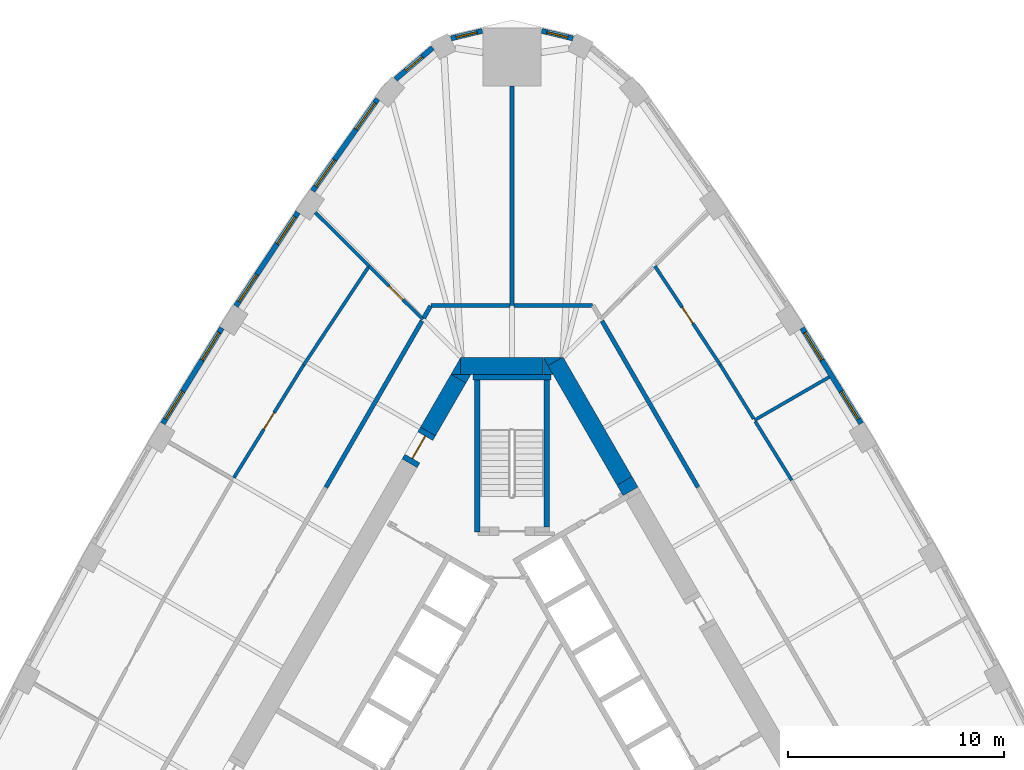
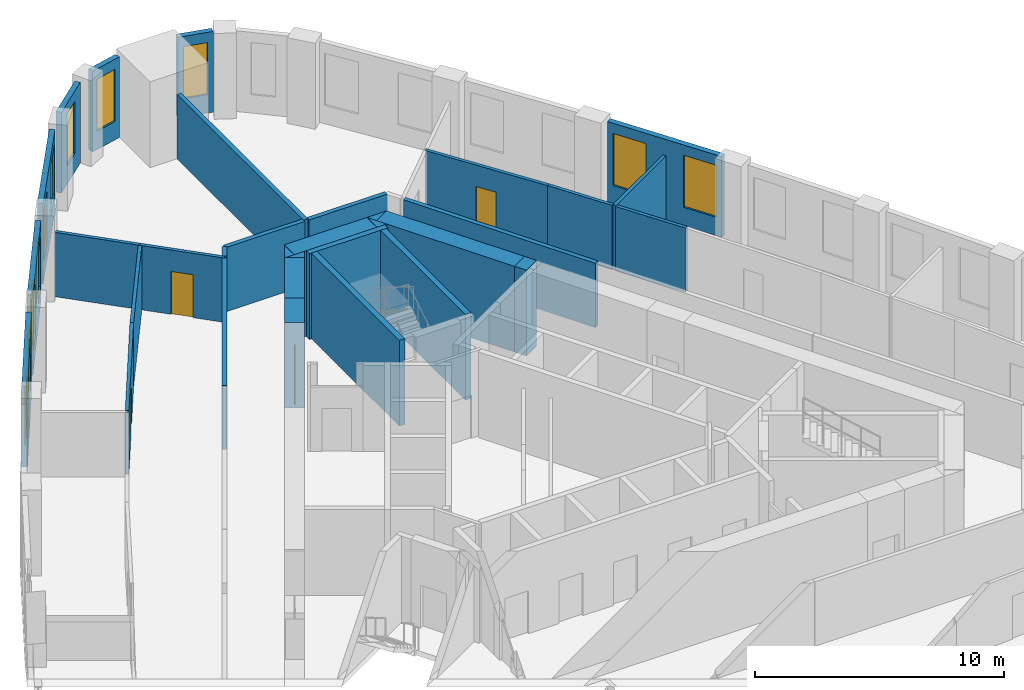
# One storey, part 8 of 10: 33 walls, 11 windows, 4 doors, 15 openings.
"""IFC4 building model written with IfcOpenShell, lengths in metres."""

from ifc_helpers import new_model, si_unit, direction, frame, frame_2d, origin, place, context, subcontext, project, spatial, polyline, rectangle, outline, extrude, material, layer, layer_set, type_object, element, fill, save


model = new_model("IFC4")

# Units and contexts
model_context = context("Model", 3, precision=1e-05, world=origin(), true_north=direction((0.0, 1.0)))
body_context = subcontext(model_context, "Body", "Model", "MODEL_VIEW")
ifc_project = project(units=[si_unit("LENGTHUNIT", "METRE"), si_unit("AREAUNIT", "SQUARE_METRE"), si_unit("VOLUMEUNIT", "CUBIC_METRE"), si_unit("PLANEANGLEUNIT", "RADIAN"), si_unit("MASSUNIT", "GRAM", prefix="KILO")], contexts=[model_context])

# Site, building, storey
site_placement = place(None, origin())
site = spatial("IfcSite", under=ifc_project, at=site_placement, CompositionType="ELEMENT")
building_placement = place(site_placement, origin())
building = spatial("IfcBuilding", under=site, at=building_placement, Name="Mestral Congress Tower", CompositionType="ELEMENT")
storey_placement = place(building_placement, frame((0.0, 0.0, 145.800048828125)))
storey = spatial("IfcBuildingStorey", under=building, at=storey_placement, Name="L34", CompositionType="ELEMENT", Elevation=145.800048828125)

# Walls
ifc_material_1 = material(Name="Concrete C60/75", Category="concrete")
ifc_layer_1 = layer(ifc_material_1, 0.800048828125)
ifc_layer_set_1 = layer_set([ifc_layer_1], Name="Concrete C60/75")
wall_type_1 = type_object("IfcWallType", Name="Core wall RC 800", PredefinedType="SOLIDWALL", material=ifc_layer_set_1)
wall_1_placement = place(storey_placement, frame((5.488525390625, 10.593505859375, 0.0), z_axis=(0.0, 0.0, 1.0), x_axis=(-0.500000383388, 0.866025182435, 0.0)))
element("IfcWall", 1, at=wall_1_placement, inside=storey, type_object=wall_type_1, Name="L34 core wall", PredefinedType="SOLIDWALL", context=body_context, shape_type="SweptSolid", body=[
    extrude(rectangle(XDim=0.5576171875, YDim=0.800048828125, at=frame_2d((0.27880859375, 0.0))), origin(), (0.0, 0.0, 1.0), 4.199951171875),
])
wall_2_placement = place(storey_placement, frame((5.208984375, 11.078125, 0.0), z_axis=(0.0, 0.0, 1.0), x_axis=(-0.500035624827, 0.866004834804, 0.0)))
element("IfcWall", 2, at=wall_2_placement, inside=storey, type_object=wall_type_1, Name="L34 core wall", PredefinedType="SOLIDWALL", context=body_context, shape_type="SweptSolid", body=[
    extrude(rectangle(XDim=6.38818359375, YDim=0.800048828125, at=frame_2d((3.194091796875, 0.0))), origin(), (0.0, 0.0, 1.0), 4.199951171875),
])
placement = place(storey_placement, origin())
element("IfcWall", 3, at=placement, inside=storey, type_object=wall_type_1, Name="L34 core wall", PredefinedType="SOLIDWALL", context=body_context, shape_type="SweptSolid", body=[
    extrude(outline(polyline([(1.443359375, 16.800048828125), (2.33935546875, 16.800048828125), (1.667236328125, 16.412109375), (1.443359375, 16.800048828125)])), origin(), (0.0, 0.0, 1.0), 4.199951171875),
])
wall_4_placement = place(storey_placement, frame((-2.37890625, 16.39990234375, 0.0), z_axis=(0.0, 0.0, 1.0), x_axis=(1.0, 0.0, 0.0)))
element("IfcWall", 4, at=wall_4_placement, inside=storey, type_object=wall_type_1, Name="L34 core wall", PredefinedType="SOLIDWALL", context=body_context, shape_type="SweptSolid", body=[
    extrude(rectangle(XDim=3.82421875, YDim=0.800048828125, at=frame_2d((1.912109375, 0.0))), origin(), (0.0, 0.0, 1.0), 4.199951171875),
])
element("IfcWall", 5, at=placement, inside=storey, type_object=wall_type_1, Name="L34 core wall", PredefinedType="SOLIDWALL", context=body_context, shape_type="SweptSolid", body=[
    extrude(outline(polyline([(1.9052734375, 16.0), (1.447265625, 16.0), (1.447265625, 16.793212890625), (1.9052734375, 16.0)])), origin(), (0.0, 0.0, 1.0), 4.199951171875),
])
element("IfcWall", 6, at=placement, inside=storey, type_object=wall_type_1, Name="L34 core wall", PredefinedType="SOLIDWALL", context=body_context, shape_type="SweptSolid", body=[
    extrude(outline(polyline([(-2.8291015625, 16.0), (-2.381103515625, 16.77587890625), (-2.381103515625, 16.0), (-2.8291015625, 16.0)])), origin(), (0.0, 0.0, 1.0), 4.199951171875),
])
wall_7_placement = place(storey_placement, frame((-2.476806640625, 15.810302734375, 0.0), z_axis=(0.0, 0.0, 1.0), x_axis=(-0.499969377405, -0.866043083026, 0.0)))
element("IfcWall", 7, at=wall_7_placement, inside=storey, type_object=wall_type_1, Name="L34 core wall", PredefinedType="SOLIDWALL", context=body_context, shape_type="SweptSolid", body=[
    extrude(rectangle(XDim=2.824462890625, YDim=0.800048828125, at=frame_2d((1.412109375, 0.0))), origin(), (0.0, 0.0, 1.0), 4.199951171875),
])
element("IfcWall", 8, at=placement, inside=storey, type_object=wall_type_1, Name="L34 core wall", PredefinedType="SOLIDWALL", context=body_context, shape_type="SweptSolid", body=[
    extrude(outline(polyline([(-1.9052734375, 16.0), (-2.12939453125, 15.612060546875), (-2.80126953125, 16.0), (-1.9052734375, 16.0)])), origin(), (0.0, 0.0, 1.0), 4.199951171875),
])

# Wall, opening, door
wall_9_placement = place(storey_placement, frame((-4.739013671875, 11.89208984375, 0.0), z_axis=(0.0, 0.0, 1.0), x_axis=(0.500062241894, 0.865989465428, 0.0)))
wall_9 = element("IfcWall", 9, at=wall_9_placement, inside=storey, type_object=wall_type_1, Name="L34 door wall", PredefinedType="SOLIDWALL", context=body_context, shape_type="SweptSolid", body=[
    extrude(rectangle(XDim=1.699951171875, YDim=0.800048828125, at=frame_2d((0.85009765625, 0.0))), origin(), (0.0, 0.0, 1.0), 4.199951171875),
])
opening_1_placement = place(wall_9_placement, frame((0.25, 0.0, 0.0)))
opening_1 = element("IfcOpeningElement", 10, at=opening_1_placement, cuts=wall_9, Name="Opening XD2", PredefinedType="OPENING", context=body_context, shape_type="SweptSolid", body=[
    extrude(rectangle(XDim=1.199951171875, YDim=2.10009765625, at=frame_2d((0.60009765625, 1.050048828125))), frame((0.0, 0.409912109375, 0.0), z_axis=(0.0, -1.0, 0.0), x_axis=(1.0, 0.0, 0.0)), (0.0, 0.0, 1.0), 0.820068359375),
])
ifc_material_2 = material(Name="Fire-rated steel door set", Category="steel")
door_type_1 = type_object("IfcDoorType", Name="Core door XD 1200x2100", OperationType="SINGLE_SWING_LEFT", PredefinedType="DOOR", material=ifc_material_2)
door_1_placement = place(opening_1_placement, origin())
door_1 = element("IfcDoor", 11, at=door_1_placement, inside=storey, type_object=door_type_1, Name="Door XD2", OperationType="SINGLE_SWING_LEFT", OverallHeight=2.10009765625, OverallWidth=1.199951171875, PredefinedType="DOOR", context=body_context, shape_type="SweptSolid", body=[
    extrude(rectangle(XDim=1.199951171875, YDim=2.10009765625, at=frame_2d((0.60009765625, 1.050048828125))), frame((0.0, 0.02490234375, 0.0), z_axis=(0.0, -1.0, 0.0), x_axis=(1.0, 0.0, 0.0)), (0.0, 0.0, 1.0), 0.050048828125),
])
fill(opening_1, door_1)

# Wall, openings, windows
ifc_material_3 = material(Name="Precast concrete C40/50 with limestone facing", Category="masonry")
ifc_layer_2 = layer(ifc_material_3, 0.239990234375)
ifc_layer_set_2 = layer_set([ifc_layer_2], Name="Precast concrete C40/50 with limestone facing")
wall_type_2 = type_object("IfcWallType", Name="Facade stone wall 240", PredefinedType="SOLIDWALL", material=ifc_layer_set_2)
wall_10_placement = place(storey_placement, frame((16.170654296875, 13.731201171875, 0.0), z_axis=(0.0, 0.0, 1.0), x_axis=(-0.526197926587, 0.850362124072, 0.0)))
wall_10 = element("IfcWall", 12, at=wall_10_placement, inside=storey, type_object=wall_type_2, Name="Facade wall F1-04", PredefinedType="SOLIDWALL", context=body_context, shape_type="SweptSolid", body=[
    extrude(rectangle(XDim=5.203369140625, YDim=0.239990234375, at=frame_2d((2.6015625, 0.0))), origin(), (0.0, 0.0, 1.0), 3.949951171875),
])
opening_2_placement = place(wall_10_placement, frame((0.248291015625, 0.0, 0.89990234375)))
opening_2 = element("IfcOpeningElement", 13, at=opening_2_placement, cuts=wall_10, Name="Opening W4", PredefinedType="OPENING", context=body_context, shape_type="SweptSolid", body=[
    extrude(rectangle(XDim=1.5, YDim=2.550048828125, at=frame_2d((0.75, 1.27490234375))), frame((0.0, 0.1298828125, 0.0), z_axis=(0.0, -1.0, 0.0), x_axis=(1.0, 0.0, 0.0)), (0.0, 0.0, 1.0), 0.260009765625),
])
opening_3_placement = place(wall_10_placement, frame((3.455078125, 0.0, 0.89990234375)))
opening_3 = element("IfcOpeningElement", 14, at=opening_3_placement, cuts=wall_10, Name="Opening W4", PredefinedType="OPENING", context=body_context, shape_type="SweptSolid", body=[
    extrude(rectangle(XDim=1.5, YDim=2.550048828125, at=frame_2d((0.75, 1.27490234375))), frame((0.0, 0.1298828125, 0.0), z_axis=(0.0, -1.0, 0.0), x_axis=(1.0, 0.0, 0.0)), (0.0, 0.0, 1.0), 0.260009765625),
])
ifc_material_4 = material(Name="Clear low-emissivity double glazing", Category="glass")
window_type_1 = type_object("IfcWindowType", Name="Facade punched window 1500 x 2550 sill 900", PartitioningType="SINGLE_PANEL", PredefinedType="WINDOW", material=ifc_material_4)
window_1_placement = place(opening_2_placement, origin())
window_1 = element("IfcWindow", 15, at=window_1_placement, inside=storey, type_object=window_type_1, Name="Window F1-04a", OverallHeight=2.550048828125, OverallWidth=1.5, PartitioningType="SINGLE_PANEL", PredefinedType="WINDOW", context=body_context, shape_type="SweptSolid", body=[
    extrude(rectangle(XDim=1.5, YDim=2.550048828125, at=frame_2d((0.75, 1.27490234375))), frame((0.0, 0.0400390625, 0.0), z_axis=(0.0, -1.0, 0.0), x_axis=(1.0, 0.0, 0.0)), (0.0, 0.0, 1.0), 0.06005859375),
])
fill(opening_2, window_1)
window_2_placement = place(opening_3_placement, origin())
window_2 = element("IfcWindow", 16, at=window_2_placement, inside=storey, type_object=window_type_1, Name="Window F1-04b", OverallHeight=2.550048828125, OverallWidth=1.5, PartitioningType="SINGLE_PANEL", PredefinedType="WINDOW", context=body_context, shape_type="SweptSolid", body=[
    extrude(rectangle(XDim=1.5, YDim=2.550048828125, at=frame_2d((0.75, 1.27490234375))), frame((0.0, 0.0400390625, 0.0), z_axis=(0.0, -1.0, 0.0), x_axis=(1.0, 0.0, 0.0)), (0.0, 0.0, 1.0), 0.06005859375),
])
fill(opening_3, window_2)

# Wall, opening, window
wall_11_placement = place(storey_placement, frame((2.821044921875, 31.56640625, 0.0), z_axis=(0.0, 0.0, 1.0), x_axis=(-0.972479955788, 0.232986556673, 0.0)))
wall_11 = element("IfcWall", 17, at=wall_11_placement, inside=storey, type_object=wall_type_2, Name="Facade wall K1-1", PredefinedType="SOLIDWALL", context=body_context, shape_type="SweptSolid", body=[
    extrude(rectangle(XDim=1.481689453125, YDim=0.239990234375, at=frame_2d((0.74072265625, 0.0))), origin(), (0.0, 0.0, 1.0), 3.949951171875),
])
opening_4_placement = place(wall_11_placement, frame((0.24072265625, 0.0, 0.89990234375)))
opening_4 = element("IfcOpeningElement", 18, at=opening_4_placement, cuts=wall_11, Name="Opening W5", PredefinedType="OPENING", context=body_context, shape_type="SweptSolid", body=[
    extrude(rectangle(XDim=1.0, YDim=2.550048828125, at=frame_2d((0.5, 1.27490234375))), frame((0.0, 0.1298828125, 0.0), z_axis=(0.0, -1.0, 0.0), x_axis=(1.0, 0.0, 0.0)), (0.0, 0.0, 1.0), 0.260009765625),
])
window_type_2 = type_object("IfcWindowType", Name="Facade punched window 1000 x 2550 sill 900", PartitioningType="SINGLE_PANEL", PredefinedType="WINDOW", material=ifc_material_4)
window_3_placement = place(opening_4_placement, origin())
window_3 = element("IfcWindow", 19, at=window_3_placement, inside=storey, type_object=window_type_2, Name="Window K1-1", OverallHeight=2.550048828125, OverallWidth=1.0, PartitioningType="SINGLE_PANEL", PredefinedType="WINDOW", context=body_context, shape_type="SweptSolid", body=[
    extrude(rectangle(XDim=1.0, YDim=2.550048828125, at=frame_2d((0.5, 1.27490234375))), frame((0.0, 0.0400390625, 0.0), z_axis=(0.0, -1.0, 0.0), x_axis=(1.0, 0.0, 0.0)), (0.0, 0.0, 1.0), 0.06005859375),
])
fill(opening_4, window_3)

wall_12_placement = place(storey_placement, frame((-1.380126953125, 31.91162109375, 0.0), z_axis=(0.0, 0.0, 1.0), x_axis=(-0.972479955788, -0.232986556673, 0.0)))
wall_12 = element("IfcWall", 20, at=wall_12_placement, inside=storey, type_object=wall_type_2, Name="Facade wall K1-2", PredefinedType="SOLIDWALL", context=body_context, shape_type="SweptSolid", body=[
    extrude(rectangle(XDim=1.481689453125, YDim=0.239990234375, at=frame_2d((0.74072265625, 0.0))), origin(), (0.0, 0.0, 1.0), 3.949951171875),
])
opening_5_placement = place(wall_12_placement, frame((0.24072265625, 0.0, 0.89990234375)))
opening_5 = element("IfcOpeningElement", 21, at=opening_5_placement, cuts=wall_12, Name="Opening W5", PredefinedType="OPENING", context=body_context, shape_type="SweptSolid", body=[
    extrude(rectangle(XDim=1.0, YDim=2.550048828125, at=frame_2d((0.5, 1.27490234375))), frame((0.0, 0.1298828125, 0.0), z_axis=(0.0, -1.0, 0.0), x_axis=(1.0, 0.0, 0.0)), (0.0, 0.0, 1.0), 0.260009765625),
])
window_4_placement = place(opening_5_placement, origin())
window_4 = element("IfcWindow", 22, at=window_4_placement, inside=storey, type_object=window_type_2, Name="Window K1-2", OverallHeight=2.550048828125, OverallWidth=1.0, PartitioningType="SINGLE_PANEL", PredefinedType="WINDOW", context=body_context, shape_type="SweptSolid", body=[
    extrude(rectangle(XDim=1.0, YDim=2.550048828125, at=frame_2d((0.5, 1.27490234375))), frame((0.0, 0.0400390625, 0.0), z_axis=(0.0, -1.0, 0.0), x_axis=(1.0, 0.0, 0.0)), (0.0, 0.0, 1.0), 0.06005859375),
])
fill(opening_5, window_4)

wall_13_placement = place(storey_placement, frame((-3.67822265625, 31.130859375, 0.0), z_axis=(0.0, 0.0, 1.0), x_axis=(-0.761419744247, -0.648259186645, 0.0)))
wall_13 = element("IfcWall", 23, at=wall_13_placement, inside=storey, type_object=wall_type_2, Name="Facade wall K1-3", PredefinedType="SOLIDWALL", context=body_context, shape_type="SweptSolid", body=[
    extrude(rectangle(XDim=2.250244140625, YDim=0.239990234375, at=frame_2d((1.125, 0.0))), origin(), (0.0, 0.0, 1.0), 3.949951171875),
])
opening_6_placement = place(wall_13_placement, frame((0.625244140625, 0.0, 0.89990234375)))
opening_6 = element("IfcOpeningElement", 24, at=opening_6_placement, cuts=wall_13, Name="Opening W5", PredefinedType="OPENING", context=body_context, shape_type="SweptSolid", body=[
    extrude(rectangle(XDim=1.0, YDim=2.550048828125, at=frame_2d((0.5, 1.27490234375))), frame((0.0, 0.1298828125, 0.0), z_axis=(0.0, -1.0, 0.0), x_axis=(1.0, 0.0, 0.0)), (0.0, 0.0, 1.0), 0.260009765625),
])
window_5_placement = place(opening_6_placement, origin())
window_5 = element("IfcWindow", 25, at=window_5_placement, inside=storey, type_object=window_type_2, Name="Window K1-3", OverallHeight=2.550048828125, OverallWidth=1.0, PartitioningType="SINGLE_PANEL", PredefinedType="WINDOW", context=body_context, shape_type="SweptSolid", body=[
    extrude(rectangle(XDim=1.0, YDim=2.550048828125, at=frame_2d((0.5, 1.27490234375))), frame((0.0, 0.0400390625, 0.0), z_axis=(0.0, -1.0, 0.0), x_axis=(1.0, 0.0, 0.0)), (0.0, 0.0, 1.0), 0.06005859375),
])
fill(opening_6, window_5)

# Wall, openings, windows
wall_14_placement = place(storey_placement, frame((-6.22265625, 28.76171875, 0.0), z_axis=(0.0, 0.0, 1.0), x_axis=(-0.577115207679, -0.816662743772, 0.0)))
wall_14 = element("IfcWall", 26, at=wall_14_placement, inside=storey, type_object=wall_type_2, Name="Facade wall F2-00", PredefinedType="SOLIDWALL", context=body_context, shape_type="SweptSolid", body=[
    extrude(rectangle(XDim=5.213134765625, YDim=0.239990234375, at=frame_2d((2.6064453125, 0.0))), origin(), (0.0, 0.0, 1.0), 3.949951171875),
])
opening_7_placement = place(wall_14_placement, frame((0.220703125, 0.0, 0.89990234375)))
opening_7 = element("IfcOpeningElement", 27, at=opening_7_placement, cuts=wall_14, Name="Opening W4", PredefinedType="OPENING", context=body_context, shape_type="SweptSolid", body=[
    extrude(rectangle(XDim=1.5, YDim=2.550048828125, at=frame_2d((0.75, 1.27490234375))), frame((0.0, 0.1298828125, 0.0), z_axis=(0.0, -1.0, 0.0), x_axis=(1.0, 0.0, 0.0)), (0.0, 0.0, 1.0), 0.260009765625),
])
opening_8_placement = place(wall_14_placement, frame((3.452392578125, 0.0, 0.89990234375)))
opening_8 = element("IfcOpeningElement", 28, at=opening_8_placement, cuts=wall_14, Name="Opening W4", PredefinedType="OPENING", context=body_context, shape_type="SweptSolid", body=[
    extrude(rectangle(XDim=1.5, YDim=2.550048828125, at=frame_2d((0.75, 1.27490234375))), frame((0.0, 0.1298828125, 0.0), z_axis=(0.0, -1.0, 0.0), x_axis=(1.0, 0.0, 0.0)), (0.0, 0.0, 1.0), 0.260009765625),
])
window_6_placement = place(opening_7_placement, origin())
window_6 = element("IfcWindow", 29, at=window_6_placement, inside=storey, type_object=window_type_1, Name="Window F2-00a", OverallHeight=2.550048828125, OverallWidth=1.5, PartitioningType="SINGLE_PANEL", PredefinedType="WINDOW", context=body_context, shape_type="SweptSolid", body=[
    extrude(rectangle(XDim=1.5, YDim=2.550048828125, at=frame_2d((0.75, 1.27490234375))), frame((0.0, 0.0400390625, 0.0), z_axis=(0.0, -1.0, 0.0), x_axis=(1.0, 0.0, 0.0)), (0.0, 0.0, 1.0), 0.06005859375),
])
fill(opening_7, window_6)
window_7_placement = place(opening_8_placement, origin())
window_7 = element("IfcWindow", 30, at=window_7_placement, inside=storey, type_object=window_type_1, Name="Window F2-00b", OverallHeight=2.550048828125, OverallWidth=1.5, PartitioningType="SINGLE_PANEL", PredefinedType="WINDOW", context=body_context, shape_type="SweptSolid", body=[
    extrude(rectangle(XDim=1.5, YDim=2.550048828125, at=frame_2d((0.75, 1.27490234375))), frame((0.0, 0.0400390625, 0.0), z_axis=(0.0, -1.0, 0.0), x_axis=(1.0, 0.0, 0.0)), (0.0, 0.0, 1.0), 0.06005859375),
])
fill(opening_8, window_7)

wall_15_placement = place(storey_placement, frame((-9.911376953125, 23.510009765625, 0.0), z_axis=(0.0, 0.0, 1.0), x_axis=(-0.551892811511, -0.833915058386, 0.0)))
wall_15 = element("IfcWall", 31, at=wall_15_placement, inside=storey, type_object=wall_type_2, Name="Facade wall F2-01", PredefinedType="SOLIDWALL", context=body_context, shape_type="SweptSolid", body=[
    extrude(rectangle(XDim=5.20361328125, YDim=0.239990234375, at=frame_2d((2.601806640625, 0.0))), origin(), (0.0, 0.0, 1.0), 3.949951171875),
])
opening_9_placement = place(wall_15_placement, frame((0.248291015625, 0.0, 0.89990234375)))
opening_9 = element("IfcOpeningElement", 32, at=opening_9_placement, cuts=wall_15, Name="Opening W4", PredefinedType="OPENING", context=body_context, shape_type="SweptSolid", body=[
    extrude(rectangle(XDim=1.5, YDim=2.550048828125, at=frame_2d((0.75, 1.27490234375))), frame((0.0, 0.1298828125, 0.0), z_axis=(0.0, -1.0, 0.0), x_axis=(1.0, 0.0, 0.0)), (0.0, 0.0, 1.0), 0.260009765625),
])
opening_10_placement = place(wall_15_placement, frame((3.455078125, 0.0, 0.89990234375)))
opening_10 = element("IfcOpeningElement", 33, at=opening_10_placement, cuts=wall_15, Name="Opening W4", PredefinedType="OPENING", context=body_context, shape_type="SweptSolid", body=[
    extrude(rectangle(XDim=1.5, YDim=2.550048828125, at=frame_2d((0.75, 1.27490234375))), frame((0.0, 0.1298828125, 0.0), z_axis=(0.0, -1.0, 0.0), x_axis=(1.0, 0.0, 0.0)), (0.0, 0.0, 1.0), 0.260009765625),
])
window_8_placement = place(opening_9_placement, origin())
window_8 = element("IfcWindow", 34, at=window_8_placement, inside=storey, type_object=window_type_1, Name="Window F2-01a", OverallHeight=2.550048828125, OverallWidth=1.5, PartitioningType="SINGLE_PANEL", PredefinedType="WINDOW", context=body_context, shape_type="SweptSolid", body=[
    extrude(rectangle(XDim=1.5, YDim=2.550048828125, at=frame_2d((0.75, 1.27490234375))), frame((0.0, 0.0400390625, 0.0), z_axis=(0.0, -1.0, 0.0), x_axis=(1.0, 0.0, 0.0)), (0.0, 0.0, 1.0), 0.06005859375),
])
fill(opening_9, window_8)
window_9_placement = place(opening_10_placement, origin())
window_9 = element("IfcWindow", 35, at=window_9_placement, inside=storey, type_object=window_type_1, Name="Window F2-01b", OverallHeight=2.550048828125, OverallWidth=1.5, PartitioningType="SINGLE_PANEL", PredefinedType="WINDOW", context=body_context, shape_type="SweptSolid", body=[
    extrude(rectangle(XDim=1.5, YDim=2.550048828125, at=frame_2d((0.75, 1.27490234375))), frame((0.0, 0.0400390625, 0.0), z_axis=(0.0, -1.0, 0.0), x_axis=(1.0, 0.0, 0.0)), (0.0, 0.0, 1.0), 0.06005859375),
])
fill(opening_10, window_9)

wall_16_placement = place(storey_placement, frame((-13.4326171875, 18.156005859375, 0.0), z_axis=(0.0, 0.0, 1.0), x_axis=(-0.526197926587, -0.850362124072, 0.0)))
wall_16 = element("IfcWall", 36, at=wall_16_placement, inside=storey, type_object=wall_type_2, Name="Facade wall F2-02", PredefinedType="SOLIDWALL", context=body_context, shape_type="SweptSolid", body=[
    extrude(rectangle(XDim=5.203369140625, YDim=0.239990234375, at=frame_2d((2.6015625, 0.0))), origin(), (0.0, 0.0, 1.0), 3.949951171875),
])
opening_11_placement = place(wall_16_placement, frame((0.248291015625, 0.0, 0.89990234375)))
opening_11 = element("IfcOpeningElement", 37, at=opening_11_placement, cuts=wall_16, Name="Opening W4", PredefinedType="OPENING", context=body_context, shape_type="SweptSolid", body=[
    extrude(rectangle(XDim=1.5, YDim=2.550048828125, at=frame_2d((0.75, 1.27490234375))), frame((0.0, 0.1298828125, 0.0), z_axis=(0.0, -1.0, 0.0), x_axis=(1.0, 0.0, 0.0)), (0.0, 0.0, 1.0), 0.260009765625),
])
opening_12_placement = place(wall_16_placement, frame((3.455078125, 0.0, 0.89990234375)))
opening_12 = element("IfcOpeningElement", 38, at=opening_12_placement, cuts=wall_16, Name="Opening W4", PredefinedType="OPENING", context=body_context, shape_type="SweptSolid", body=[
    extrude(rectangle(XDim=1.5, YDim=2.550048828125, at=frame_2d((0.75, 1.27490234375))), frame((0.0, 0.1298828125, 0.0), z_axis=(0.0, -1.0, 0.0), x_axis=(1.0, 0.0, 0.0)), (0.0, 0.0, 1.0), 0.260009765625),
])
window_10_placement = place(opening_11_placement, origin())
window_10 = element("IfcWindow", 39, at=window_10_placement, inside=storey, type_object=window_type_1, Name="Window F2-02a", OverallHeight=2.550048828125, OverallWidth=1.5, PartitioningType="SINGLE_PANEL", PredefinedType="WINDOW", context=body_context, shape_type="SweptSolid", body=[
    extrude(rectangle(XDim=1.5, YDim=2.550048828125, at=frame_2d((0.75, 1.27490234375))), frame((0.0, 0.0400390625, 0.0), z_axis=(0.0, -1.0, 0.0), x_axis=(1.0, 0.0, 0.0)), (0.0, 0.0, 1.0), 0.06005859375),
])
fill(opening_11, window_10)
window_11_placement = place(opening_12_placement, origin())
window_11 = element("IfcWindow", 40, at=window_11_placement, inside=storey, type_object=window_type_1, Name="Window F2-02b", OverallHeight=2.550048828125, OverallWidth=1.5, PartitioningType="SINGLE_PANEL", PredefinedType="WINDOW", context=body_context, shape_type="SweptSolid", body=[
    extrude(rectangle(XDim=1.5, YDim=2.550048828125, at=frame_2d((0.75, 1.27490234375))), frame((0.0, 0.0400390625, 0.0), z_axis=(0.0, -1.0, 0.0), x_axis=(1.0, 0.0, 0.0)), (0.0, 0.0, 1.0), 0.06005859375),
])
fill(opening_12, window_11)

# Walls
ifc_material_5 = material(Name="Plasterboard partition on steel studs", Category="steel")
ifc_layer_3 = layer(ifc_material_5, 0.14990234375)
ifc_layer_set_3 = layer_set([ifc_layer_3], Name="Plasterboard partition on steel studs")
wall_type_3 = type_object("IfcWallType", Name="Office partition 150", PredefinedType="PARTITIONING", material=ifc_layer_set_3)
wall_17_placement = place(storey_placement, frame((11.229248046875, 13.88720703125, 0.0), z_axis=(0.0, 0.0, 1.0), x_axis=(0.866038271014, 0.499977712642, 0.0)))
element("IfcWall", 41, at=wall_17_placement, inside=storey, type_object=wall_type_3, Name="Partition", PredefinedType="PARTITIONING", context=body_context, shape_type="SweptSolid", body=[
    extrude(rectangle(XDim=4.001708984375, YDim=0.14990234375, at=frame_2d((2.0009765625, 0.0))), origin(), (0.0, 0.0, 1.0), 3.14990234375),
])
wall_18_placement = place(storey_placement, frame((12.951171875, 11.1044921875, 0.0), z_axis=(0.0, 0.0, 1.0), x_axis=(-0.526204763311, 0.850357893518, 0.0)))
element("IfcWall", 42, at=wall_18_placement, inside=storey, type_object=wall_type_3, Name="Partition", PredefinedType="PARTITIONING", context=body_context, shape_type="SweptSolid", body=[
    extrude(rectangle(XDim=3.197265625, YDim=0.14990234375, at=frame_2d((1.5986328125, 0.0))), origin(), (0.0, 0.0, 1.0), 3.14990234375),
])
wall_19_placement = place(storey_placement, frame((11.189697265625, 13.950927734375, 0.0), z_axis=(0.0, 0.0, 1.0), x_axis=(-0.526165616903, 0.850382116221, 0.0)))
element("IfcWall", 43, at=wall_19_placement, inside=storey, type_object=wall_type_3, Name="Partition", PredefinedType="PARTITIONING", context=body_context, shape_type="SweptSolid", body=[
    extrude(rectangle(XDim=2.935302734375, YDim=0.14990234375, at=frame_2d((1.4677734375, 0.0))), origin(), (0.0, 0.0, 1.0), 3.14990234375),
])

# Wall, opening, door
wall_20_placement = place(storey_placement, frame((6.6162109375, 21.023681640625, 0.0), z_axis=(0.0, 0.0, 1.0), x_axis=(0.551915124006, -0.833900291338, 0.0)))
wall_20 = element("IfcWall", 44, at=wall_20_placement, inside=storey, type_object=wall_type_3, Name="Partition", PredefinedType="PARTITIONING", context=body_context, shape_type="SweptSolid", body=[
    extrude(rectangle(XDim=5.48828125, YDim=0.14990234375, at=frame_2d((2.744140625, 0.0))), origin(), (0.0, 0.0, 1.0), 3.14990234375),
])
opening_13_placement = place(wall_20_placement, frame((2.288330078125, 0.0, 0.0)))
opening_13 = element("IfcOpeningElement", 45, at=opening_13_placement, cuts=wall_20, Name="Opening O01-010", PredefinedType="OPENING", context=body_context, shape_type="SweptSolid", body=[
    extrude(rectangle(XDim=0.89990234375, YDim=2.10009765625, at=frame_2d((0.449951171875, 1.050048828125))), frame((0.0, 0.0849609375, 0.0), z_axis=(0.0, -1.0, 0.0), x_axis=(1.0, 0.0, 0.0)), (0.0, 0.0, 1.0), 0.169921875),
])
ifc_material_6 = material(Name="Timber door set", Category="wood")
door_type_2 = type_object("IfcDoorType", Name="Office door 900x2100", OperationType="SINGLE_SWING_LEFT", PredefinedType="DOOR", material=ifc_material_6)
door_2_placement = place(opening_13_placement, origin())
door_2 = element("IfcDoor", 46, at=door_2_placement, inside=storey, type_object=door_type_2, Name="Door O01-010", OperationType="SINGLE_SWING_LEFT", OverallHeight=2.10009765625, OverallWidth=0.89990234375, PredefinedType="DOOR", context=body_context, shape_type="SweptSolid", body=[
    extrude(rectangle(XDim=0.89990234375, YDim=2.10009765625, at=frame_2d((0.449951171875, 1.050048828125))), frame((0.0, 0.02490234375, 0.0), z_axis=(0.0, -1.0, 0.0), x_axis=(1.0, 0.0, 0.0)), (0.0, 0.0, 1.0), 0.050048828125),
])
fill(opening_13, door_2)

# Wall
wall_21_placement = place(storey_placement, frame((-6.61328125, 21.020751953125, 0.0), z_axis=(0.0, 0.0, 1.0), x_axis=(-0.709222036241, 0.704985179497, 0.0)))
element("IfcWall", 47, at=wall_21_placement, inside=storey, type_object=wall_type_3, Name="Partition", PredefinedType="PARTITIONING", context=body_context, shape_type="SweptSolid", body=[
    extrude(rectangle(XDim=3.514892578125, YDim=0.14990234375, at=frame_2d((1.75732421875, 0.0))), origin(), (0.0, 0.0, 1.0), 3.14990234375),
])

# Wall, opening, door
wall_22_placement = place(storey_placement, frame((-6.618896484375, 21.026611328125, 0.0), z_axis=(0.0, 0.0, 1.0), x_axis=(0.709188943058, -0.705018470002, 0.0)))
wall_22 = element("IfcWall", 48, at=wall_22_placement, inside=storey, type_object=wall_type_3, Name="Partition", PredefinedType="PARTITIONING", context=body_context, shape_type="SweptSolid", body=[
    extrude(rectangle(XDim=3.512451171875, YDim=0.14990234375, at=frame_2d((1.75634765625, 0.0))), origin(), (0.0, 0.0, 1.0), 3.14990234375),
])
opening_14_placement = place(wall_22_placement, frame((1.3125, 0.0, 0.0)))
opening_14 = element("IfcOpeningElement", 49, at=opening_14_placement, cuts=wall_22, Name="Opening O01-013", PredefinedType="OPENING", context=body_context, shape_type="SweptSolid", body=[
    extrude(rectangle(XDim=0.89990234375, YDim=2.10009765625, at=frame_2d((0.449951171875, 1.050048828125))), frame((0.0, 0.0849609375, 0.0), z_axis=(0.0, -1.0, 0.0), x_axis=(1.0, 0.0, 0.0)), (0.0, 0.0, 1.0), 0.169921875),
])
door_3_placement = place(opening_14_placement, origin())
door_3 = element("IfcDoor", 50, at=door_3_placement, inside=storey, type_object=door_type_2, Name="Door O01-013", OperationType="SINGLE_SWING_RIGHT", OverallHeight=2.10009765625, OverallWidth=0.89990234375, PredefinedType="DOOR", context=body_context, shape_type="SweptSolid", body=[
    extrude(rectangle(XDim=0.89990234375, YDim=2.10009765625, at=frame_2d((0.449951171875, 1.050048828125))), frame((0.0, 0.02490234375, 0.0), z_axis=(0.0, -1.0, 0.0), x_axis=(1.0, 0.0, 0.0)), (0.0, 0.0, 1.0), 0.050048828125),
])
fill(opening_14, door_3)

# Wall
wall_23_placement = place(storey_placement, frame((-6.658447265625, 20.9599609375, 0.0), z_axis=(0.0, 0.0, 1.0), x_axis=(-0.551907039463, -0.833905642019, 0.0)))
element("IfcWall", 51, at=wall_23_placement, inside=storey, type_object=wall_type_3, Name="Partition", PredefinedType="PARTITIONING", context=body_context, shape_type="SweptSolid", body=[
    extrude(rectangle(XDim=5.411865234375, YDim=0.14990234375, at=frame_2d((2.7060546875, 0.0))), origin(), (0.0, 0.0, 1.0), 3.14990234375),
])

# Wall, opening, door
wall_24_placement = place(storey_placement, frame((-12.877197265625, 11.22412109375, 0.0), z_axis=(0.0, 0.0, 1.0), x_axis=(0.526202711334, 0.850359163286, 0.0)))
wall_24 = element("IfcWall", 52, at=wall_24_placement, inside=storey, type_object=wall_type_3, Name="Partition", PredefinedType="PARTITIONING", context=body_context, shape_type="SweptSolid", body=[
    extrude(rectangle(XDim=6.14208984375, YDim=0.14990234375, at=frame_2d((3.071044921875, 0.0))), origin(), (0.0, 0.0, 1.0), 3.14990234375),
])
opening_15_placement = place(wall_24_placement, frame((2.64208984375, 0.0, 0.0)))
opening_15 = element("IfcOpeningElement", 53, at=opening_15_placement, cuts=wall_24, Name="Opening O01-014", PredefinedType="OPENING", context=body_context, shape_type="SweptSolid", body=[
    extrude(rectangle(XDim=0.89990234375, YDim=2.10009765625, at=frame_2d((0.449951171875, 1.050048828125))), frame((0.0, 0.0849609375, 0.0), z_axis=(0.0, -1.0, 0.0), x_axis=(1.0, 0.0, 0.0)), (0.0, 0.0, 1.0), 0.169921875),
])
door_4_placement = place(opening_15_placement, origin())
door_4 = element("IfcDoor", 54, at=door_4_placement, inside=storey, type_object=door_type_2, Name="Door O01-014", OperationType="SINGLE_SWING_RIGHT", OverallHeight=2.10009765625, OverallWidth=0.89990234375, PredefinedType="DOOR", context=body_context, shape_type="SweptSolid", body=[
    extrude(rectangle(XDim=0.89990234375, YDim=2.10009765625, at=frame_2d((0.449951171875, 1.050048828125))), frame((0.0, 0.02490234375, 0.0), z_axis=(0.0, -1.0, 0.0), x_axis=(1.0, 0.0, 0.0)), (0.0, 0.0, 1.0), 0.050048828125),
])
fill(opening_15, door_4)

# Walls
ifc_material_7 = material(Name="Dense masonry wall, plastered", Category="masonry")
ifc_layer_4 = layer(ifc_material_7, 0.199951171875)
ifc_layer_set_4 = layer_set([ifc_layer_4], Name="Dense masonry wall, plastered")
wall_type_4 = type_object("IfcWallType", Name="Office tenancy wall 200", PredefinedType="PARTITIONING", material=ifc_layer_set_4)
wall_25_placement = place(storey_placement, frame((8.611328125, 10.78466796875, 0.0), z_axis=(0.0, 0.0, 1.0), x_axis=(-0.499987928593, 0.866032373102, 0.0)))
element("IfcWall", 55, at=wall_25_placement, inside=storey, type_object=wall_type_4, Name="Tenancy wall", PredefinedType="PARTITIONING", context=body_context, shape_type="SweptSolid", body=[
    extrude(rectangle(XDim=8.889404296875, YDim=0.199951171875, at=frame_2d((4.44482421875, 0.0))), origin(), (0.0, 0.0, 1.0), 3.14990234375),
])
wall_26_placement = place(storey_placement, frame((0.0, 19.199951171875, 0.0), z_axis=(0.0, 0.0, 1.0), x_axis=(0.0, 1.0, 0.0)))
element("IfcWall", 56, at=wall_26_placement, inside=storey, type_object=wall_type_4, Name="Tenancy wall", PredefinedType="PARTITIONING", context=body_context, shape_type="SweptSolid", body=[
    extrude(rectangle(XDim=10.154296875, YDim=0.199951171875, at=frame_2d((5.0771484375, 0.0))), origin(), (0.0, 0.0, 1.0), 3.14990234375),
])
wall_27_placement = place(storey_placement, frame((3.722900390625, 19.199951171875, 0.0), z_axis=(0.0, 0.0, 1.0), x_axis=(-1.0, 0.0, 0.0)))
element("IfcWall", 57, at=wall_27_placement, inside=storey, type_object=wall_type_4, Name="Tenancy wall", PredefinedType="PARTITIONING", context=body_context, shape_type="SweptSolid", body=[
    extrude(rectangle(XDim=3.622802734375, YDim=0.199951171875, at=frame_2d((1.8115234375, 0.0))), origin(), (0.0, 0.0, 1.0), 3.14990234375),
])
wall_28_placement = place(storey_placement, frame((-0.10009765625, 19.199951171875, 0.0), z_axis=(0.0, 0.0, 1.0), x_axis=(-1.0, 0.0, 0.0)))
element("IfcWall", 58, at=wall_28_placement, inside=storey, type_object=wall_type_4, Name="Tenancy wall", PredefinedType="PARTITIONING", context=body_context, shape_type="SweptSolid", body=[
    extrude(rectangle(XDim=3.652587890625, YDim=0.199951171875, at=frame_2d((1.826171875, 0.0))), origin(), (0.0, 0.0, 1.0), 3.14990234375),
])
wall_29_placement = place(storey_placement, frame((-3.767822265625, 19.174072265625, 0.0), z_axis=(0.0, 0.0, 1.0), x_axis=(-0.499897828833, -0.8660843843, 0.0)))
element("IfcWall", 59, at=wall_29_placement, inside=storey, type_object=wall_type_4, Name="Tenancy wall", PredefinedType="PARTITIONING", context=body_context, shape_type="SweptSolid", body=[
    extrude(rectangle(XDim=0.642822265625, YDim=0.199951171875, at=frame_2d((0.3212890625, 0.0))), origin(), (0.0, 0.0, 1.0), 3.14990234375),
])
wall_30_placement = place(storey_placement, frame((-4.166748046875, 18.483154296875, 0.0), z_axis=(0.0, 0.0, 1.0), x_axis=(-0.499974340325, -0.866040217898, 0.0)))
element("IfcWall", 60, at=wall_30_placement, inside=storey, type_object=wall_type_4, Name="Tenancy wall", PredefinedType="PARTITIONING", context=body_context, shape_type="SweptSolid", body=[
    extrude(rectangle(XDim=8.8935546875, YDim=0.199951171875, at=frame_2d((4.44677734375, 0.0))), origin(), (0.0, 0.0, 1.0), 3.14990234375),
])
ifc_layer_5 = layer(ifc_material_1, 0.25)
ifc_layer_set_5 = layer_set([ifc_layer_5], Name="Concrete C60/75")
wall_type_5 = type_object("IfcWallType", Name="Stair wall RC 250", PredefinedType="SOLIDWALL", material=ifc_layer_set_5)
wall_31_placement = place(storey_placement, frame((-1.81689453125, 15.875, 0.0), z_axis=(0.0, 0.0, 1.0), x_axis=(1.0, 0.0, 0.0)))
element("IfcWall", 61, at=wall_31_placement, inside=storey, type_object=wall_type_5, Name="L34 core wall", PredefinedType="SOLIDWALL", context=body_context, shape_type="SweptSolid", body=[
    extrude(rectangle(XDim=3.6337890625, YDim=0.25, at=frame_2d((1.81689453125, 0.0))), origin(), (0.0, 0.0, 1.0), 4.199951171875),
])
wall_32_placement = place(storey_placement, frame((1.60009765625, 8.949951171875, 0.0), z_axis=(0.0, 0.0, 1.0), x_axis=(0.0, 1.0, 0.0)))
element("IfcWall", 62, at=wall_32_placement, inside=storey, type_object=wall_type_5, Name="L34 core wall", PredefinedType="SOLIDWALL", context=body_context, shape_type="SweptSolid", body=[
    extrude(rectangle(XDim=6.800048828125, YDim=0.25, at=frame_2d((3.39990234375, 0.0))), origin(), (0.0, 0.0, 1.0), 4.199951171875),
])
wall_33_placement = place(storey_placement, frame((-1.60009765625, 8.699951171875, 0.0), z_axis=(0.0, 0.0, 1.0), x_axis=(0.0, 1.0, 0.0)))
element("IfcWall", 63, at=wall_33_placement, inside=storey, type_object=wall_type_5, Name="L34 core wall", PredefinedType="SOLIDWALL", context=body_context, shape_type="SweptSolid", body=[
    extrude(rectangle(XDim=7.050048828125, YDim=0.25, at=frame_2d((3.52490234375, 0.0))), origin(), (0.0, 0.0, 1.0), 4.199951171875),
])

save(model, "model.ifc")
